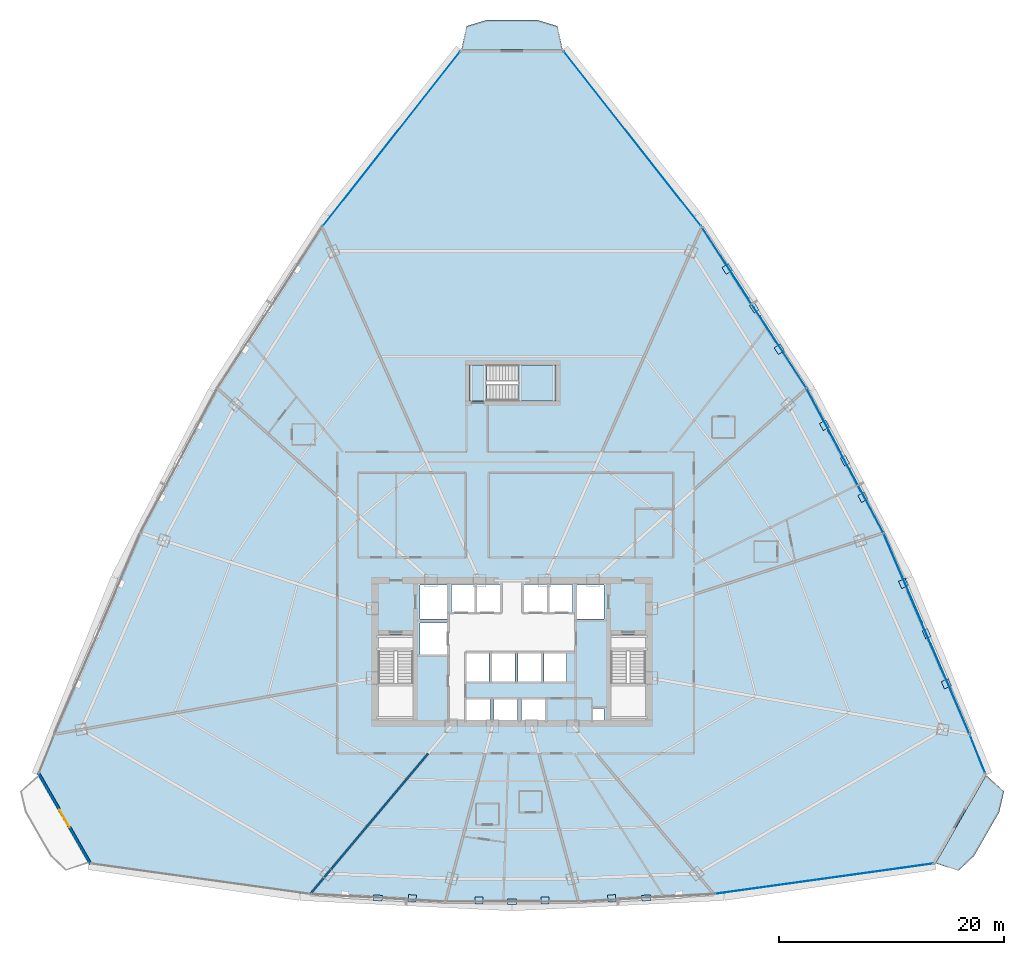
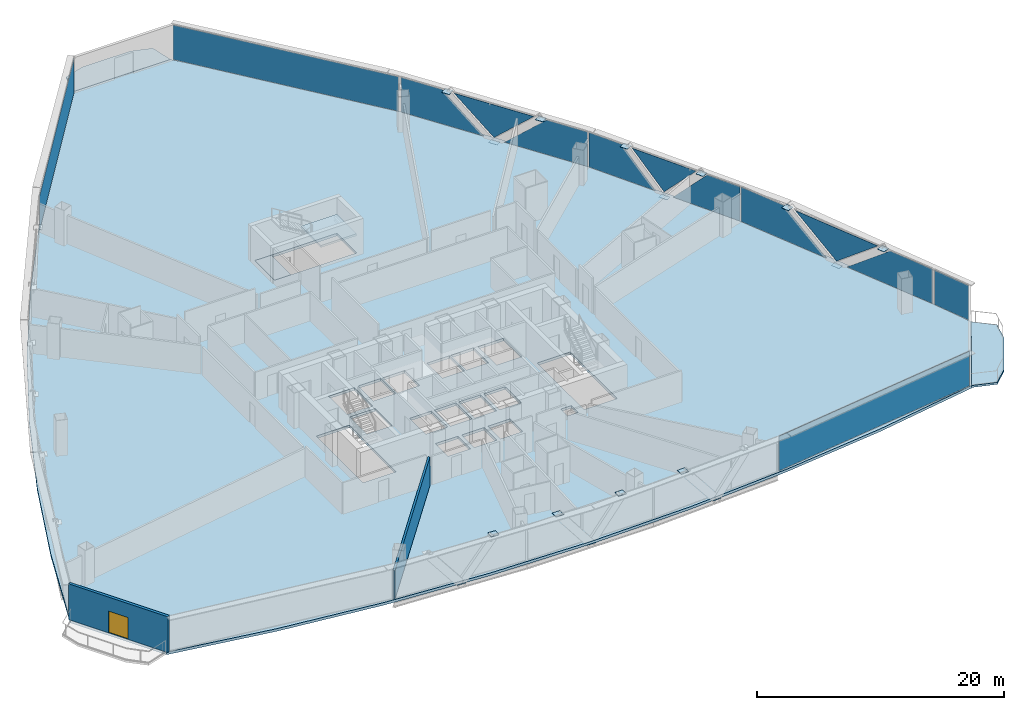
# One storey, part 28 of 37: 29 plates, 5 slabs, 2 walls, 1 door, 1 opening, 8 elements without a shape of their own.
"""IFC4 building model written with IfcOpenShell, lengths in metres."""

from ifc_helpers import new_model, si_unit, direction, frame, frame_2d, origin, origin_with_axes, origin_2d, place, context, subcontext, project, spatial, polyline, rectangle, outline, extrude, source, transform, mapped, material, layer, layer_set, type_object, element, fill, aggregate, save


model = new_model("IFC4")

# Units and contexts
model_context = context("Model", 3, precision=1e-05, world=origin(), true_north=direction((0.0, 1.0)))
body_context = subcontext(model_context, "Body", "Model", "MODEL_VIEW")
ifc_project = project(units=[si_unit("LENGTHUNIT", "METRE"), si_unit("AREAUNIT", "SQUARE_METRE"), si_unit("VOLUMEUNIT", "CUBIC_METRE"), si_unit("PLANEANGLEUNIT", "RADIAN"), si_unit("MASSUNIT", "GRAM", prefix="KILO"), si_unit("THERMODYNAMICTEMPERATUREUNIT", "KELVIN"), si_unit("POWERUNIT", "WATT")], contexts=[model_context])

# Site, building, storey
site_placement = place(None, origin())
site = spatial("IfcSite", under=ifc_project, at=site_placement, CompositionType="ELEMENT")
building_placement = place(site_placement, origin())
building = spatial("IfcBuilding", under=site, at=building_placement, Name="Yunzhuo Pagoda Commons", CompositionType="ELEMENT")
storey_placement = place(building_placement, frame((0.0, 0.0, 88.780029296875)))
storey = spatial("IfcBuildingStorey", under=building, at=storey_placement, Name="L22", CompositionType="ELEMENT", Elevation=88.780029296875)

# Curtain wall, plates
ifc_material_1 = material(Name="Anodized aluminium 6063-T6", Category="aluminium")
ifc_layer_1 = layer(ifc_material_1, 0.1650390625)
ifc_layer_set_1 = layer_set([ifc_layer_1], Name="Anodized aluminium 6063-T6")
curtain_wall_type = type_object("IfcCurtainWallType", Name="CW-LOW Low-Zone Ribbon Curtain Wall", PredefinedType="NOTDEFINED", material=ifc_layer_set_1)
curtain_wall_1_placement = place(storey_placement, origin())
curtain_wall_1 = element("IfcCurtainWall", 1, at=curtain_wall_1_placement, inside=storey, type_object=curtain_wall_type, Name="L22 curtain wall CW-L22-F2B2", PredefinedType="NOTDEFINED")
ifc_material_2 = material(Name="Tempered low-e double glazing", Category="glass")
ifc_layer_2 = layer(ifc_material_2, 0.028076171875)
ifc_layer_set_2 = layer_set([ifc_layer_2], Name="Tempered low-e double glazing")
plate_type_1 = type_object("IfcPlateType", Name="CW-LOW-P Low-E Double Glazing 28", PredefinedType="CURTAIN_PANEL", material=ifc_layer_set_2)
plate_1_placement = place(storey_placement, frame((87.000244140625, 30.54931640625, 1.77001953125), z_axis=(0.919250024103, 0.39367422215, 0.0), x_axis=(-0.39367422215, 0.919250024103, 0.0)))
plate_1 = element("IfcPlate", 2, at=plate_1_placement, type_object=plate_type_1, Name="CW panel 1.1 lite 1", PredefinedType="CURTAIN_PANEL", context=body_context, shape_type="SweptSolid", body=[
    extrude(outline(polyline([(-4.32861328125, -1.7099609375), (4.328857421875, -1.7099609375), (-0.059326171875, 1.7099609375), (-4.32861328125, 1.7099609375), (-4.32861328125, -1.7099609375)])), origin(), (0.0, 0.0, 1.0), 0.028076171875),
])
plate_2_placement = place(storey_placement, frame((84.863525390625, 35.46240234375, 1.850830078125), z_axis=(0.919250024103, 0.39367422215, 0.0), x_axis=(-0.39367422215, 0.919250024103, 0.0)))
plate_2 = element("IfcPlate", 3, at=plate_2_placement, type_object=plate_type_1, Name="CW panel 1.1 lite 2", PredefinedType="CURTAIN_PANEL", context=body_context, shape_type="SweptSolid", body=[
    extrude(outline(polyline([(-4.180419921875, 1.629150390625), (0.0, -1.629150390625), (4.180419921875, 1.629150390625), (-4.180419921875, 1.629150390625)])), origin(), (0.0, 0.0, 1.0), 0.028076171875),
])
plate_3_placement = place(storey_placement, frame((82.781982421875, 40.39892578125, 1.77001953125), z_axis=(0.919250024103, 0.39367422215, 0.0), x_axis=(-0.39367422215, 0.919250024103, 0.0)))
plate_3 = element("IfcPlate", 4, at=plate_3_placement, type_object=plate_type_1, Name="CW panel 1.1 lite 3", PredefinedType="CURTAIN_PANEL", context=body_context, shape_type="SweptSolid", body=[
    extrude(outline(polyline([(-4.328857421875, -1.7099609375), (4.32861328125, -1.7099609375), (4.32861328125, 1.7099609375), (0.059326171875, 1.7099609375), (-4.328857421875, -1.7099609375)])), origin(), (0.0, 0.0, 1.0), 0.028076171875),
])
aggregate(curtain_wall_1, [plate_1, plate_2, plate_3])

curtain_wall_2_placement = place(storey_placement, origin())
curtain_wall_2 = element("IfcCurtainWall", 5, at=curtain_wall_2_placement, inside=storey, type_object=curtain_wall_type, Name="L22 curtain wall CW-L22-F2B3", PredefinedType="NOTDEFINED")
plate_4_placement = place(storey_placement, frame((79.521728515625, 47.31396484375, 1.77001953125), z_axis=(0.8828050059, 0.469739631666, 0.0), x_axis=(-0.469739631666, 0.8828050059, 0.0)))
plate_4 = element("IfcPlate", 6, at=plate_4_placement, type_object=plate_type_1, Name="CW panel 1.1 lite 1", PredefinedType="CURTAIN_PANEL", context=body_context, shape_type="SweptSolid", body=[
    extrude(outline(polyline([(-3.194091796875, -1.7099609375), (3.194091796875, -1.7099609375), (-0.084716796875, 1.7099609375), (-3.194091796875, 1.7099609375), (-3.194091796875, -1.7099609375)])), origin(), (0.0, 0.0, 1.0), 0.028076171875),
])
plate_5_placement = place(storey_placement, frame((77.603515625, 50.855224609375, 1.884521484375), z_axis=(0.8828050059, 0.469739631666, 0.0), x_axis=(-0.469739631666, 0.8828050059, 0.0)))
plate_5 = element("IfcPlate", 7, at=plate_5_placement, type_object=plate_type_1, Name="CW panel 1.1 lite 2", PredefinedType="CURTAIN_PANEL", context=body_context, shape_type="SweptSolid", body=[
    extrude(outline(polyline([(-3.059326171875, 1.595458984375), (0.0, -1.595458984375), (3.059326171875, 1.595458984375), (-3.059326171875, 1.595458984375)])), origin(), (0.0, 0.0, 1.0), 0.028076171875),
])
plate_6_placement = place(storey_placement, frame((75.73828125, 54.4248046875, 1.77001953125), z_axis=(0.8828050059, 0.469739631666, 0.0), x_axis=(-0.469739631666, 0.8828050059, 0.0)))
plate_6 = element("IfcPlate", 8, at=plate_6_placement, type_object=plate_type_1, Name="CW panel 1.1 lite 3", PredefinedType="CURTAIN_PANEL", context=body_context, shape_type="SweptSolid", body=[
    extrude(outline(polyline([(-3.194091796875, -1.7099609375), (3.194091796875, -1.7099609375), (3.194091796875, 1.7099609375), (0.084716796875, 1.7099609375), (-3.194091796875, -1.7099609375)])), origin(), (0.0, 0.0, 1.0), 0.028076171875),
])
aggregate(curtain_wall_2, [plate_4, plate_5, plate_6])

curtain_wall_3_placement = place(storey_placement, origin())
curtain_wall_3 = element("IfcCurtainWall", 9, at=curtain_wall_3_placement, inside=storey, type_object=curtain_wall_type, Name="L22 curtain wall CW-L22-F2B4", PredefinedType="NOTDEFINED")
plate_7_placement = place(storey_placement, frame((72.115234375, 60.526611328125, 1.77001953125), z_axis=(0.838906636672, 0.544275348466, 0.0), x_axis=(-0.544275348466, 0.838906636672, 0.0)))
plate_7 = element("IfcPlate", 10, at=plate_7_placement, type_object=plate_type_1, Name="CW panel 1.1 lite 1", PredefinedType="CURTAIN_PANEL", context=body_context, shape_type="SweptSolid", body=[
    extrude(outline(polyline([(-3.7802734375, -1.7099609375), (3.7802734375, -1.7099609375), (-0.07080078125, 1.7099609375), (-3.7802734375, 1.7099609375), (-3.7802734375, -1.7099609375)])), origin(), (0.0, 0.0, 1.0), 0.028076171875),
])
plate_8_placement = place(storey_placement, frame((69.525146484375, 64.4638671875, 1.864013671875), z_axis=(0.838906636672, 0.544275348466, 0.0), x_axis=(-0.544275348466, 0.838906636672, 0.0)))
plate_8 = element("IfcPlate", 11, at=plate_8_placement, type_object=plate_type_1, Name="CW panel 1.1 lite 2", PredefinedType="CURTAIN_PANEL", context=body_context, shape_type="SweptSolid", body=[
    extrude(outline(polyline([(-3.63916015625, 1.615966796875), (0.0, -1.615966796875), (3.63916015625, 1.615966796875), (-3.63916015625, 1.615966796875)])), origin(), (0.0, 0.0, 1.0), 0.028076171875),
])
plate_9_placement = place(storey_placement, frame((66.985107421875, 68.433837890625, 1.77001953125), z_axis=(0.838906636672, 0.544275348466, 0.0), x_axis=(-0.544275348466, 0.838906636672, 0.0)))
plate_9 = element("IfcPlate", 12, at=plate_9_placement, type_object=plate_type_1, Name="CW panel 1.1 lite 3", PredefinedType="CURTAIN_PANEL", context=body_context, shape_type="SweptSolid", body=[
    extrude(outline(polyline([(-3.7802734375, -1.7099609375), (3.7802734375, -1.7099609375), (3.7802734375, 1.7099609375), (0.07080078125, 1.7099609375), (-3.7802734375, -1.7099609375)])), origin(), (0.0, 0.0, 1.0), 0.028076171875),
])
aggregate(curtain_wall_3, [plate_7, plate_8, plate_9])

# Slabs
ifc_material_3 = material(Name="Concrete C40", Category="concrete")
ifc_layer_3 = layer(ifc_material_3, 0.199951171875)
ifc_layer_set_3 = layer_set([ifc_layer_3], Name="Concrete C40")
slab_type_1 = type_object("IfcSlabType", Name="SL-BAL Vertex Balcony Deck Slab 200", PredefinedType="FLOOR", material=ifc_layer_set_3)
slab_1_placement = place(storey_placement, frame((0.0, 0.0, -0.199951171875)))
element("IfcSlab", 13, at=slab_1_placement, inside=storey, type_object=slab_type_1, Name="L22 corner balcony V2", PredefinedType="FLOOR", context=body_context, shape_type="SweptSolid", body=[
    extrude(outline(polyline([(85.70166015625, 15.026123046875), (90.2041015625, 22.867919921875), (91.797119140625, 21.4345703125), (91.372314453125, 19.590576171875), (89.12109375, 15.669677734375), (87.742431640625, 14.373291015625), (85.70166015625, 15.026123046875)])), origin(), (0.0, 0.0, 1.0), 0.199951171875),
])
slab_2_placement = place(storey_placement, frame((0.0, 0.0, -0.199951171875)))
element("IfcSlab", 14, at=slab_2_placement, inside=storey, type_object=slab_type_1, Name="L22 corner balcony V3", PredefinedType="FLOOR", context=body_context, shape_type="SweptSolid", body=[
    extrude(outline(polyline([(52.502685546875, 87.455078125), (43.497314453125, 87.455078125), (43.947509765625, 89.550048828125), (45.748779296875, 90.10009765625), (50.251220703125, 90.10009765625), (52.052490234375, 89.550048828125), (52.502685546875, 87.455078125)])), origin(), (0.0, 0.0, 1.0), 0.199951171875),
])

# Stair, slabs
stair_type = type_object("IfcStairType", Name="ST-C3 North Tower Smokeproof Stair ST3", PredefinedType="HALF_TURN_STAIR", material=ifc_material_3)
stair_placement = place(storey_placement, origin())
stair = element("IfcStair", 15, at=stair_placement, inside=storey, type_object=stair_type, Name="L22 North tower smokeproof stair ST3", PredefinedType="HALF_TURN_STAIR")
ifc_layer_4 = layer(ifc_material_3, 0.2041015625)
ifc_layer_set_4 = layer_set([ifc_layer_4], Name="Concrete C40")
slab_type_2 = type_object("IfcSlabType", Name="SL-LND5 North Landing Slab 204", PredefinedType="LANDING", material=ifc_layer_set_4)
slab_3_placement = place(storey_placement, frame((0.0, 0.0, 1.699951171875)))
slab_3 = element("IfcSlab", 16, at=slab_3_placement, type_object=slab_type_2, Name="ST3 landing 1", PredefinedType="LANDING", context=body_context, shape_type="SweptSolid", body=[
    extrude(outline(polyline([(48.550048828125, 56.199951171875), (51.89990234375, 56.199951171875), (51.89990234375, 59.39990234375), (48.550048828125, 59.39990234375), (48.550048828125, 56.199951171875)])), origin(), (0.0, 0.0, 1.0), 0.199951171875),
])
slab_4_placement = place(storey_placement, frame((0.0, 0.0, -0.199951171875)))
slab_4 = element("IfcSlab", 17, at=slab_4_placement, type_object=slab_type_2, Name="ST3 floor landing L22", PredefinedType="LANDING", context=body_context, shape_type="SweptSolid", body=[
    extrude(outline(polyline([(44.199951171875, 56.199951171875), (45.75, 56.199951171875), (45.75, 59.39990234375), (44.199951171875, 59.39990234375), (44.199951171875, 56.199951171875)])), origin(), (0.0, 0.0, 1.0), 0.199951171875),
])
aggregate(stair, [slab_3, slab_4])

# Slab
ifc_layer_5 = layer(ifc_material_3, 0.260009765625)
ifc_layer_set_5 = layer_set([ifc_layer_5], Name="Concrete C40")
slab_type_3 = type_object("IfcSlabType", Name="SL-TWR Typical Tower Floor Slab 260", PredefinedType="FLOOR", material=ifc_layer_set_5)
slab_5_placement = place(storey_placement, frame((0.0, 0.0, -0.260009765625)))
element("IfcSlab", 18, at=slab_5_placement, inside=storey, type_object=slab_type_3, Name="L22 structural floor slab", PredefinedType="FLOOR", context=body_context, shape_type="SweptSolid", body=[
    extrude(outline(polyline([(9.1259765625, 31.752197265625), (12.84814453125, 40.402587890625), (16.966064453125, 48.82177734375), (21.480224609375, 57.009765625), (26.390380859375, 64.966796875), (31.69677734375, 72.6923828125), (37.39892578125, 80.186767578125), (43.497314453125, 87.449951171875), (52.502685546875, 87.449951171875), (58.60107421875, 80.186767578125), (64.30322265625, 72.6923828125), (69.609619140625, 64.966796875), (74.519775390625, 57.009765625), (79.033935546875, 48.82177734375), (83.15185546875, 40.402587890625), (86.8740234375, 31.752197265625), (90.199951171875, 22.87060546875), (85.697265625, 15.028564453125), (76.27294921875, 13.423583984375), (66.8486328125, 12.277099609375), (57.42431640625, 11.589111328125), (48.0, 11.35986328125), (38.57568359375, 11.589111328125), (29.1513671875, 12.277099609375), (19.72705078125, 13.423583984375), (10.302734375, 15.028564453125), (5.800048828125, 22.87060546875), (9.1259765625, 31.752197265625)]), holes=[polyline([(46.050048828125, 27.60009765625), (46.050048828125, 29.64990234375), (43.949951171875, 29.64990234375), (43.949951171875, 27.60009765625), (46.050048828125, 27.60009765625)]), polyline([(48.5, 27.60009765625), (48.5, 29.64990234375), (46.39990234375, 29.64990234375), (46.39990234375, 27.60009765625), (48.5, 27.60009765625)]), polyline([(36.10009765625, 27.800048828125), (39.199951171875, 27.800048828125), (39.199951171875, 35.39990234375), (36.10009765625, 35.39990234375), (36.10009765625, 27.800048828125)]), polyline([(45.969970703125, 31.199951171875), (45.969970703125, 33.800048828125), (43.929931640625, 33.800048828125), (43.929931640625, 31.199951171875), (45.969970703125, 31.199951171875)]), polyline([(48.27001953125, 31.199951171875), (48.27001953125, 33.800048828125), (46.22998046875, 33.800048828125), (46.22998046875, 31.199951171875), (48.27001953125, 31.199951171875)]), polyline([(42.199951171875, 33.60009765625), (42.199951171875, 36.39990234375), (39.800048828125, 36.39990234375), (39.800048828125, 33.60009765625), (42.199951171875, 33.60009765625)]), polyline([(42.199951171875, 36.800048828125), (42.199951171875, 39.800048828125), (39.800048828125, 39.800048828125), (39.800048828125, 36.800048828125), (42.199951171875, 36.800048828125)]), polyline([(42.60009765625, 37.39990234375), (44.699951171875, 37.39990234375), (44.699951171875, 39.85009765625), (42.60009765625, 39.85009765625), (42.60009765625, 37.39990234375)]), polyline([(44.85009765625, 37.39990234375), (46.949951171875, 37.39990234375), (46.949951171875, 39.85009765625), (44.85009765625, 39.85009765625), (44.85009765625, 37.39990234375)]), polyline([(56.179931640625, 27.699951171875), (56.179931640625, 28.800048828125), (55.179931640625, 28.800048828125), (55.179931640625, 27.699951171875), (56.179931640625, 27.699951171875)]), polyline([(50.949951171875, 27.60009765625), (50.949951171875, 29.64990234375), (48.85009765625, 29.64990234375), (48.85009765625, 27.60009765625), (50.949951171875, 27.60009765625)]), polyline([(56.800048828125, 27.800048828125), (59.89990234375, 27.800048828125), (59.89990234375, 35.39990234375), (56.800048828125, 35.39990234375), (56.800048828125, 27.800048828125)]), polyline([(50.570068359375, 31.199951171875), (50.570068359375, 33.800048828125), (48.530029296875, 33.800048828125), (48.530029296875, 31.199951171875), (50.570068359375, 31.199951171875)]), polyline([(52.8701171875, 31.199951171875), (52.8701171875, 33.800048828125), (50.830078125, 33.800048828125), (50.830078125, 31.199951171875), (52.8701171875, 31.199951171875)]), polyline([(56.199951171875, 36.800048828125), (56.199951171875, 39.800048828125), (53.800048828125, 39.800048828125), (53.800048828125, 36.800048828125), (56.199951171875, 36.800048828125)]), polyline([(51.14990234375, 37.39990234375), (51.14990234375, 39.85009765625), (49.050048828125, 39.85009765625), (49.050048828125, 37.39990234375), (51.14990234375, 37.39990234375)]), polyline([(51.300048828125, 37.39990234375), (53.39990234375, 37.39990234375), (53.39990234375, 39.85009765625), (51.300048828125, 39.85009765625), (51.300048828125, 37.39990234375)]), polyline([(44.199951171875, 56.199951171875), (51.89990234375, 56.199951171875), (51.89990234375, 59.39990234375), (44.199951171875, 59.39990234375), (44.199951171875, 56.199951171875)])]), origin(), (0.0, 0.0, 1.0), 0.260009765625),
])

# Plates
ifc_material_4 = material(Name="Structural steel Q355B", Category="steel")
ifc_layer_6 = layer(ifc_material_4, 0.028076171875)
ifc_layer_set_6 = layer_set([ifc_layer_6], Name="Structural steel Q355B")
plate_type_2 = type_object("IfcPlateType", Name="SP-ND1 Lattice Node Cap Plate 800x500x28", PredefinedType="USERDEFINED", material=ifc_layer_set_6)
shared_shape_1 = source(origin(), body_context, "Body", "SweptSolid", [
    extrude(rectangle(XDim=0.800048828125, YDim=0.5, at=origin_2d()), origin(), (0.0, 0.0, 1.0), 0.028076171875),
])
for number, where, z_axis, x_axis, name in (
    (19, (36.058349609375, 11.947509765625, -0.27392578125), (0.0, 0.0, 1.0), (0.998349844337, -0.057424631585, 0.0), "L22 diamond node plate F1.1A"),
    (20, (48.0, 11.60107421875, -0.27392578125), (0.0, 0.0, 1.0), (1.0, 0.0, 0.0), "L22 diamond node plate F1.2A"),
    (21, (59.941650390625, 11.947509765625, -0.27392578125), (0.0, 0.0, 1.0), (0.998349844337, 0.057424631585, 0.0), "L22 diamond node plate F1.3A"),
    (22, (84.904052734375, 35.479736328125, -0.27392578125), (0.0, 0.0, 1.0), (-0.39366917931, 0.919252183713, 0.0), "L22 diamond node plate F2.1A"),
    (23, (77.642578125, 50.8759765625, -0.27392578125), (0.0, 0.0, 1.0), (-0.469733517942, 0.882808258979, 0.0), "L22 diamond node plate F2.2A"),
    (24, (69.56201171875, 64.48779296875, -0.27392578125), (0.0, 0.0, 1.0), (-0.544273044112, 0.838908131712, 0.0), "L22 diamond node plate F2.3A"),
):
    element("IfcPlate", number, at=place(storey_placement, frame(where, z_axis=z_axis, x_axis=x_axis)), inside=storey, type_object=plate_type_2, Name=name, ObjectType="STIFFENER_PLATE", PredefinedType="USERDEFINED", context=body_context, shape_type="MappedRepresentation", body=[
        mapped(shared_shape_1, transform((0.0, 0.0, 0.0), scale=1.0)),
    ])
shared_shape_2 = source(origin(), body_context, "Body", "SweptSolid", [
    extrude(rectangle(XDim=0.699951171875, YDim=0.631591796875, at=origin_2d()), origin(), (0.0, 0.0, 1.0), 0.035888671875),
])
for number, where, z_axis, x_axis, name in (
    (25, (39.121337890625, 11.904541015625, 3.501953125), (0.0, 0.0, 1.0), (0.998349844337, -0.057424631585, 0.0), "L22 setback lattice tie plate F1.1R"),
    (26, (56.878662109375, 11.904541015625, 3.501953125), (0.0, 0.0, 1.0), (0.998349844337, 0.057424631585, 0.0), "L22 setback lattice tie plate F1.3L"),
):
    element("IfcPlate", number, at=place(storey_placement, frame(where, z_axis=z_axis, x_axis=x_axis)), inside=storey, type_object=plate_type_2, Name=name, ObjectType="STIFFENER_PLATE", PredefinedType="USERDEFINED", context=body_context, shape_type="MappedRepresentation", body=[
        mapped(shared_shape_2, transform((0.0, 0.0, 0.0), scale=1.0)),
    ])
shared_shape_3 = source(origin(), body_context, "Body", "SweptSolid", [
    extrude(rectangle(XDim=0.699951171875, YDim=0.615478515625, at=origin_2d()), origin(), (0.0, 0.0, 1.0), 0.035888671875),
])
for number, where, z_axis, x_axis, name in (
    (27, (45.056884765625, 11.732666015625, 3.501953125), (0.0, 0.0, 1.0), (1.0, 0.0, 0.0), "L22 setback lattice tie plate F1.2L"),
    (28, (50.943115234375, 11.732666015625, 3.501953125), (0.0, 0.0, 1.0), (1.0, 0.0, 0.0), "L22 setback lattice tie plate F1.2R"),
):
    element("IfcPlate", number, at=place(storey_placement, frame(where, z_axis=z_axis, x_axis=x_axis)), inside=storey, type_object=plate_type_2, Name=name, ObjectType="STIFFENER_PLATE", PredefinedType="USERDEFINED", context=body_context, shape_type="MappedRepresentation", body=[
        mapped(shared_shape_3, transform((0.0, 0.0, 0.0), scale=1.0)),
    ])
shared_shape_4 = source(origin(), body_context, "Body", "SweptSolid", [
    extrude(rectangle(XDim=0.699951171875, YDim=0.672119140625, at=origin_2d()), origin(), (0.0, 0.0, 1.0), 0.035888671875),
])
plate_10_placement = place(storey_placement, frame((86.66259765625, 31.00927734375, 3.501953125), z_axis=(0.0, 0.0, 1.0), x_axis=(-0.39366917931, 0.919252183713, 0.0)))
element("IfcPlate", 29, at=plate_10_placement, inside=storey, type_object=plate_type_2, Name="L22 setback lattice tie plate F2.1L", ObjectType="STIFFENER_PLATE", PredefinedType="USERDEFINED", context=body_context, shape_type="MappedRepresentation", body=[
    mapped(shared_shape_4, transform((0.0, 0.0, 0.0), scale=1.0)),
])
shared_shape_5 = source(origin(), body_context, "Body", "SweptSolid", [
    extrude(rectangle(XDim=0.699951171875, YDim=0.640625, at=origin_2d()), origin(), (0.0, 0.0, 1.0), 0.035888671875),
])
plate_11_placement = place(storey_placement, frame((82.84130859375, 39.936279296875, 3.501953125), z_axis=(0.0, 0.0, 1.0), x_axis=(-0.39366917931, 0.919252183713, 0.0)))
element("IfcPlate", 30, at=plate_11_placement, inside=storey, type_object=plate_type_2, Name="L22 setback lattice tie plate F2.1R", ObjectType="STIFFENER_PLATE", PredefinedType="USERDEFINED", context=body_context, shape_type="MappedRepresentation", body=[
    mapped(shared_shape_5, transform((0.0, 0.0, 0.0), scale=1.0)),
])
shared_shape_6 = source(origin(), body_context, "Body", "SweptSolid", [
    extrude(rectangle(XDim=0.699951171875, YDim=0.627685546875, at=origin_2d()), origin(), (0.0, 0.0, 1.0), 0.035888671875),
])
plate_12_placement = place(storey_placement, frame((79.226806640625, 47.603515625, 3.501953125), z_axis=(0.0, 0.0, 1.0), x_axis=(-0.469733517942, 0.882808258979, 0.0)))
element("IfcPlate", 31, at=plate_12_placement, inside=storey, type_object=plate_type_2, Name="L22 setback lattice tie plate F2.2L", ObjectType="STIFFENER_PLATE", PredefinedType="USERDEFINED", context=body_context, shape_type="MappedRepresentation", body=[
    mapped(shared_shape_6, transform((0.0, 0.0, 0.0), scale=1.0)),
])
shared_shape_7 = source(origin(), body_context, "Body", "SweptSolid", [
    extrude(rectangle(XDim=0.699951171875, YDim=0.627197265625, at=origin_2d()), origin(), (0.0, 0.0, 1.0), 0.035888671875),
])
plate_13_placement = place(storey_placement, frame((75.819091796875, 54.0107421875, 3.501953125), z_axis=(0.0, 0.0, 1.0), x_axis=(-0.469733517942, 0.882808258979, 0.0)))
element("IfcPlate", 32, at=plate_13_placement, inside=storey, type_object=plate_type_2, Name="L22 setback lattice tie plate F2.2R", ObjectType="STIFFENER_PLATE", PredefinedType="USERDEFINED", context=body_context, shape_type="MappedRepresentation", body=[
    mapped(shared_shape_7, transform((0.0, 0.0, 0.0), scale=1.0)),
])
shared_shape_8 = source(origin(), body_context, "Body", "SweptSolid", [
    extrude(rectangle(XDim=0.699951171875, YDim=0.63818359375, at=origin_2d()), origin(), (0.0, 0.0, 1.0), 0.035888671875),
])
plate_14_placement = place(storey_placement, frame((71.795654296875, 60.789794921875, 3.501953125), z_axis=(0.0, 0.0, 1.0), x_axis=(-0.544273044112, 0.838908131712, 0.0)))
element("IfcPlate", 33, at=plate_14_placement, inside=storey, type_object=plate_type_2, Name="L22 setback lattice tie plate F2.3L", ObjectType="STIFFENER_PLATE", PredefinedType="USERDEFINED", context=body_context, shape_type="MappedRepresentation", body=[
    mapped(shared_shape_8, transform((0.0, 0.0, 0.0), scale=1.0)),
])
shared_shape_9 = source(origin(), body_context, "Body", "SweptSolid", [
    extrude(rectangle(XDim=0.699951171875, YDim=0.662353515625, at=origin_2d()), origin(), (0.0, 0.0, 1.0), 0.035888671875),
])
plate_15_placement = place(storey_placement, frame((67.15673828125, 67.941162109375, 3.501953125), z_axis=(0.0, 0.0, 1.0), x_axis=(-0.544273044112, 0.838908131712, 0.0)))
element("IfcPlate", 34, at=plate_15_placement, inside=storey, type_object=plate_type_2, Name="L22 setback lattice tie plate F2.3R", ObjectType="STIFFENER_PLATE", PredefinedType="USERDEFINED", context=body_context, shape_type="MappedRepresentation", body=[
    mapped(shared_shape_9, transform((0.0, 0.0, 0.0), scale=1.0)),
])

# Curtain wall, plate
curtain_wall_4_placement = place(storey_placement, origin())
curtain_wall_4 = element("IfcCurtainWall", 35, at=curtain_wall_4_placement, inside=storey, type_object=curtain_wall_type, Name="L22 curtain wall CW-L22-F1B5", PredefinedType="NOTDEFINED")
shared_shape_10 = source(origin(), body_context, "Body", "SweptSolid", [
    extrude(rectangle(XDim=19.557861328125, YDim=0.028076171875, at=origin_2d()), origin(), (0.0, 0.0, 1.0), 3.419921875),
])
plate_16_placement = place(storey_placement, frame((75.786865234375, 13.657470703125, 0.06005859375), z_axis=(0.0, 0.0, 1.0), x_axis=(0.990502363677, 0.137495700118, 0.0)))
plate_16 = element("IfcPlate", 36, at=plate_16_placement, type_object=plate_type_1, Name="CW panel 1.1", PredefinedType="CURTAIN_PANEL", context=body_context, shape_type="MappedRepresentation", body=[
    mapped(shared_shape_10, transform((0.0, 0.0, 0.0), scale=1.0)),
])
aggregate(curtain_wall_4, [plate_16])

curtain_wall_5_placement = place(storey_placement, origin())
curtain_wall_5 = element("IfcCurtainWall", 37, at=curtain_wall_5_placement, inside=storey, type_object=curtain_wall_type, Name="L22 curtain wall CW-L22-F2B1", PredefinedType="NOTDEFINED")
shared_shape_11 = source(origin(), body_context, "Body", "SweptSolid", [
    extrude(rectangle(XDim=3.56005859375, YDim=0.028076171875, at=origin_2d()), origin(), (0.0, 0.0, 1.0), 3.419921875),
])
plate_17_placement = place(storey_placement, frame((89.452392578125, 24.73193359375, 0.06005859375), z_axis=(0.0, 0.0, 1.0), x_axis=(-0.369651850711, 0.929170333828, 0.0)))
plate_17 = element("IfcPlate", 38, at=plate_17_placement, type_object=plate_type_1, Name="CW panel 1.1", PredefinedType="CURTAIN_PANEL", context=body_context, shape_type="MappedRepresentation", body=[
    mapped(shared_shape_11, transform((0.0, 0.0, 0.0), scale=1.0)),
])
aggregate(curtain_wall_5, [plate_17])

curtain_wall_6_placement = place(storey_placement, origin())
curtain_wall_6 = element("IfcCurtainWall", 39, at=curtain_wall_6_placement, inside=storey, type_object=curtain_wall_type, Name="L22 curtain wall CW-L22-F2B5", PredefinedType="NOTDEFINED")
shared_shape_12 = source(origin(), body_context, "Body", "SweptSolid", [
    extrude(rectangle(XDim=19.706298828125, YDim=0.028076171875, at=origin_2d()), origin(), (0.0, 0.0, 1.0), 3.419921875),
])
plate_18_placement = place(storey_placement, frame((58.7275390625, 79.52294921875, 0.06005859375), z_axis=(0.0, 0.0, 1.0), x_axis=(-0.618059974111, 0.786130948635, 0.0)))
plate_18 = element("IfcPlate", 40, at=plate_18_placement, type_object=plate_type_1, Name="CW panel 1.1", PredefinedType="CURTAIN_PANEL", context=body_context, shape_type="MappedRepresentation", body=[
    mapped(shared_shape_12, transform((0.0, 0.0, 0.0), scale=1.0)),
])
aggregate(curtain_wall_6, [plate_18])

curtain_wall_7_placement = place(storey_placement, origin())
curtain_wall_7 = element("IfcCurtainWall", 41, at=curtain_wall_7_placement, inside=storey, type_object=curtain_wall_type, Name="L22 curtain wall CW-L22-F3B1", PredefinedType="NOTDEFINED")
plate_19_placement = place(storey_placement, frame((37.2724609375, 79.52294921875, 0.06005859375), z_axis=(0.0, 0.0, 1.0), x_axis=(-0.618059974111, -0.786130948635, 0.0)))
plate_19 = element("IfcPlate", 42, at=plate_19_placement, type_object=plate_type_1, Name="CW panel 1.1", PredefinedType="CURTAIN_PANEL", context=body_context, shape_type="MappedRepresentation", body=[
    mapped(shared_shape_12, transform((0.0, 0.0, 0.0), scale=1.0)),
])
aggregate(curtain_wall_7, [plate_19])

# Wall, opening, door
ifc_material_5 = material(Name="Precast concrete C40", Category="concrete")
ifc_layer_7 = layer(ifc_material_5, 0.260009765625)
ifc_layer_set_7 = layer_set([ifc_layer_7], Name="Precast concrete C40")
wall_type_1 = type_object("IfcWallType", Name="W-BAL1 Corner Balcony Threshold Wall 260", PredefinedType="STANDARD", material=ifc_layer_set_7)
wall_1_placement = place(storey_placement, frame((5.838134765625, 23.065185546875, 0.0), z_axis=(0.0, 0.0, 1.0), x_axis=(0.497922114025, -0.867221752705, 0.0)))
wall_1 = element("IfcWall", 43, at=wall_1_placement, inside=storey, type_object=wall_type_1, Name="L22 corner balcony wall V1", PredefinedType="STANDARD", context=body_context, shape_type="SweptSolid", body=[
    extrude(rectangle(XDim=9.342529296875, YDim=0.260009765625, at=frame_2d((4.67138671875, 0.0))), origin(), (0.0, 0.0, 1.0), 3.5400390625),
])
opening_placement = place(wall_1_placement, frame((3.771240234375, 0.0, 0.0)))
opening = element("IfcOpeningElement", 44, at=opening_placement, cuts=wall_1, Name="Opening D-BAL1", PredefinedType="OPENING", context=body_context, shape_type="SweptSolid", body=[
    extrude(rectangle(XDim=1.800048828125, YDim=2.14990234375, at=frame_2d((0.89990234375, 1.074951171875))), frame((0.0, 0.14013671875, 0.0), z_axis=(0.0, -1.0, 0.0), x_axis=(1.0, 0.0, 0.0)), (0.0, 0.0, 1.0), 0.280029296875),
])
ifc_material_6 = material(Name="Anodized aluminium frame and tempered glazed leaf", Category="aluminium")
door_type = type_object("IfcDoorType", Name="D-BAL1 Corner Balcony Sliding Glazed Door 1800x2150", OperationType="DOUBLE_DOOR_SLIDING", PredefinedType="DOOR", material=ifc_material_6)
shared_shape_13 = source(origin(), body_context, "Body", "SweptSolid", [
    extrude(rectangle(XDim=1.800048828125, YDim=2.14990234375, at=frame_2d((0.89990234375, 1.074951171875))), frame((0.0, 0.02490234375, 0.0), z_axis=(0.0, -1.0, 0.0), x_axis=(1.0, 0.0, 0.0)), (0.0, 0.0, 1.0), 0.050048828125),
])
door_placement = place(opening_placement, origin_with_axes())
door = element("IfcDoor", 45, at=door_placement, inside=storey, type_object=door_type, Name="L22 corner balcony sliding door V1", OperationType="DOUBLE_DOOR_SLIDING", OverallHeight=2.14990234375, OverallWidth=1.800048828125, PredefinedType="DOOR", context=body_context, shape_type="MappedRepresentation", body=[
    mapped(shared_shape_13, transform((0.0, 0.0, 0.0), scale=1.0)),
])
fill(opening, door)

# Wall
ifc_material_7 = material(Name="Gypsum plasterboard on acoustic stud")
ifc_layer_8 = layer(ifc_material_7, 0.179931640625)
ifc_layer_set_8 = layer_set([ifc_layer_8], Name="Gypsum plasterboard on acoustic stud")
wall_type_2 = type_object("IfcWallType", Name="W-PRT2 Acoustic Unit Demising Wall 180", PredefinedType="PARTITIONING", material=ifc_layer_set_8)
wall_2_placement = place(storey_placement, frame((40.531982421875, 24.800048828125, 0.0), z_axis=(0.0, 0.0, 1.0), x_axis=(-0.642790086939, -0.76604236445, 0.0)))
element("IfcWall", 46, at=wall_2_placement, inside=storey, type_object=wall_type_2, Name="L22 interior wall IW-L22-RAD10", PredefinedType="PARTITIONING", context=body_context, shape_type="SweptSolid", body=[
    extrude(rectangle(XDim=16.325927734375, YDim=0.179931640625, at=frame_2d((8.1630859375, 0.0))), origin(), (0.0, 0.0, 1.0), 2.840087890625),
])

save(model, "model.ifc")
